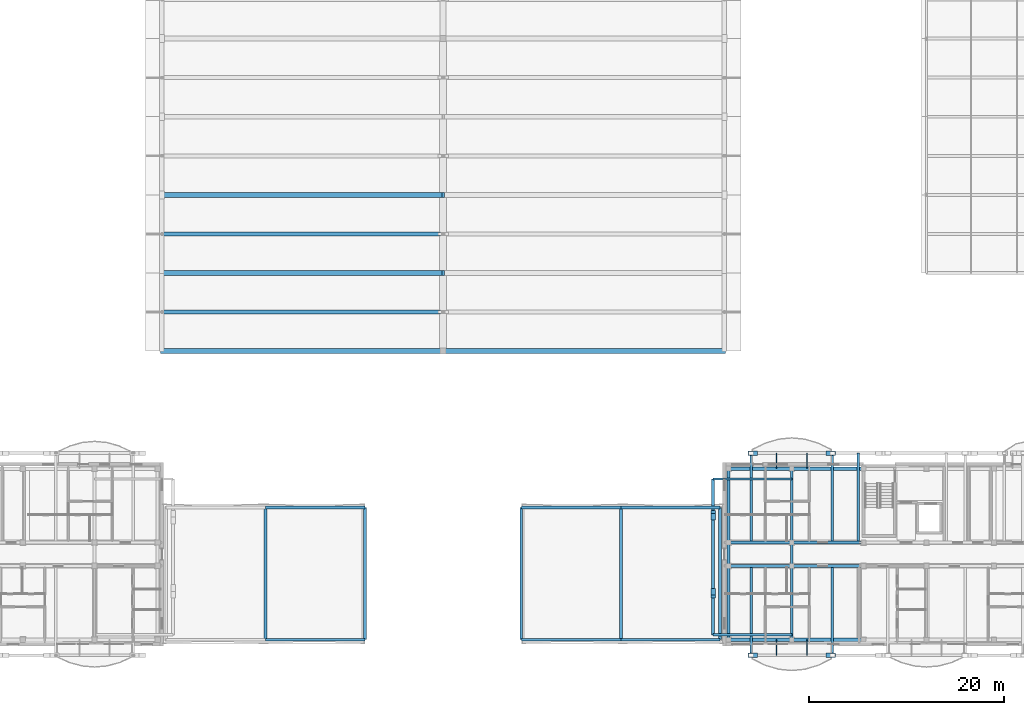
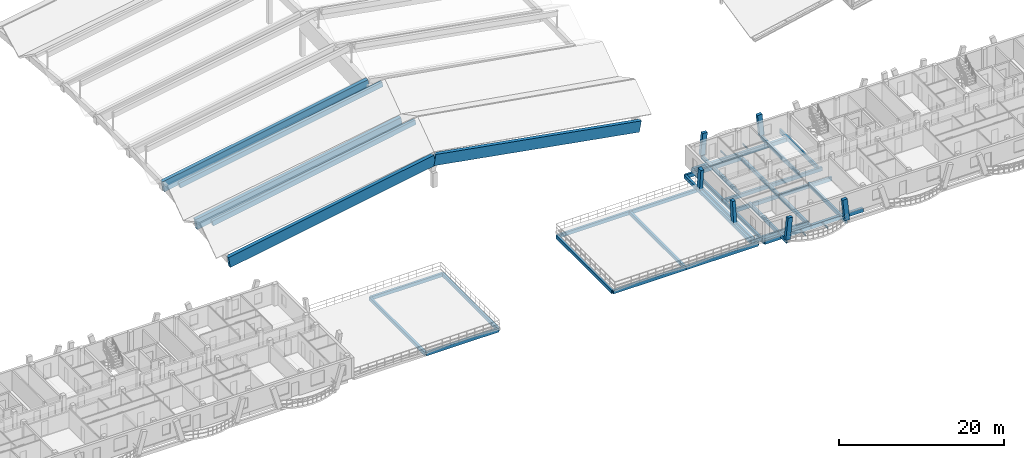
# One storey, part 20 of 109: 43 beams, 6 members.
"""IFC4 building model written with IfcOpenShell, lengths in metres."""

from ifc_helpers import new_model, si_unit, direction, frame, origin, origin_2d, place, context, subcontext, project, spatial, rectangle, i_section, extrude, material, material_profile, profile_set, type_object, element, save


model = new_model("IFC4")

# Units and contexts
model_context = context("Model", 3, precision=1e-05, world=origin(), true_north=direction((0.0, 1.0)))
body_context = subcontext(model_context, "Body", "Model", "MODEL_VIEW")
ifc_project = project(units=[si_unit("LENGTHUNIT", "METRE"), si_unit("AREAUNIT", "SQUARE_METRE"), si_unit("VOLUMEUNIT", "CUBIC_METRE"), si_unit("PLANEANGLEUNIT", "RADIAN"), si_unit("MASSUNIT", "GRAM", prefix="KILO")], contexts=[model_context])

# Site, building, storey
site_placement = place(None, origin())
site = spatial("IfcSite", under=ifc_project, at=site_placement, CompositionType="ELEMENT")
building_placement = place(site_placement, origin())
building = spatial("IfcBuilding", under=site, at=building_placement, Name="Zavelmont Quarter", CompositionType="ELEMENT")
storey_placement = place(building_placement, frame((0.0, 0.0, 8.0)))
storey = spatial("IfcBuildingStorey", under=building, at=storey_placement, Name="L02", CompositionType="ELEMENT", Elevation=8.0)

# Beams
ifc_material_1 = material(Name="Concrete C35/45", Category="concrete")
ifc_material_profile_1 = material_profile(ifc_material_1, rectangle(XDim=0.35009765625, YDim=0.60009765625, at=origin_2d()), Name="RC350X600")
ifc_profile_set_1 = profile_set([ifc_material_profile_1], Name="Concrete C35/45")
beam_type_1 = type_object("IfcBeamType", Name="BM01", PredefinedType="SPANDREL", material=ifc_profile_set_1)
beam_1_placement = place(storey_placement, frame((113.239990234375, 0.43994140625, -0.570068359375), z_axis=(1.0, 0.0, 0.0), x_axis=(0.0, 1.0, 0.0)))
element("IfcBeam", 1, at=beam_1_placement, inside=storey, type_object=beam_type_1, Name="L02 beam BM01 17/A to 18/A", PredefinedType="SPANDREL", context=body_context, shape_type="SweptSolid", body=[
    extrude(rectangle(XDim=0.35009765625, YDim=0.60009765625, at=origin_2d()), origin(), (0.0, 0.0, 1.0), 6.4599609375),
])
beam_2_placement = place(storey_placement, frame((119.699951171875, 0.43994140625, -0.570068359375), z_axis=(1.0, 0.0, 0.0), x_axis=(0.0, 1.0, 0.0)))
element("IfcBeam", 2, at=beam_2_placement, inside=storey, type_object=beam_type_1, Name="L02 beam BM01 18/A to 19/A", PredefinedType="SPANDREL", context=body_context, shape_type="SweptSolid", body=[
    extrude(rectangle(XDim=0.35009765625, YDim=0.60009765625, at=origin_2d()), origin(), (0.0, 0.0, 1.0), 7.340087890625),
])
beam_3_placement = place(storey_placement, frame((113.239990234375, 17.9599609375, -0.570068359375), z_axis=(1.0, 0.0, 0.0), x_axis=(0.0, 1.0, 0.0)))
element("IfcBeam", 3, at=beam_3_placement, inside=storey, type_object=beam_type_1, Name="L02 beam BM01 17/D to 18/D", PredefinedType="SPANDREL", context=body_context, shape_type="SweptSolid", body=[
    extrude(rectangle(XDim=0.35009765625, YDim=0.60009765625, at=origin_2d()), origin(), (0.0, 0.0, 1.0), 6.4599609375),
])
beam_4_placement = place(storey_placement, frame((119.699951171875, 17.9599609375, -0.570068359375), z_axis=(1.0, 0.0, 0.0), x_axis=(0.0, 1.0, 0.0)))
element("IfcBeam", 4, at=beam_4_placement, inside=storey, type_object=beam_type_1, Name="L02 beam BM01 18/D to 19/D", PredefinedType="SPANDREL", context=body_context, shape_type="SweptSolid", body=[
    extrude(rectangle(XDim=0.35009765625, YDim=0.60009765625, at=origin_2d()), origin(), (0.0, 0.0, 1.0), 7.340087890625),
])
ifc_material_profile_2 = material_profile(ifc_material_1, rectangle(XDim=0.300048828125, YDim=0.550048828125, at=origin_2d()), Name="RC300X550")
ifc_profile_set_2 = profile_set([ifc_material_profile_2], Name="Concrete C35/45")
beam_type_2 = type_object("IfcBeamType", Name="BM02", PredefinedType="SPANDREL", material=ifc_profile_set_2)
beam_5_placement = place(storey_placement, frame((113.239990234375, 8.0, -0.544921875), z_axis=(1.0, 0.0, 0.0), x_axis=(0.0, 1.0, 0.0)))
element("IfcBeam", 5, at=beam_5_placement, inside=storey, type_object=beam_type_2, Name="L02 beam BM02 17/B to 18/B", PredefinedType="SPANDREL", context=body_context, shape_type="SweptSolid", body=[
    extrude(rectangle(XDim=0.300048828125, YDim=0.550048828125, at=origin_2d()), origin(), (0.0, 0.0, 1.0), 6.4599609375),
])
beam_6_placement = place(storey_placement, frame((119.699951171875, 8.0, -0.544921875), z_axis=(1.0, 0.0, 0.0), x_axis=(0.0, 1.0, 0.0)))
element("IfcBeam", 6, at=beam_6_placement, inside=storey, type_object=beam_type_2, Name="L02 beam BM02 18/B to 19/B", PredefinedType="SPANDREL", context=body_context, shape_type="SweptSolid", body=[
    extrude(rectangle(XDim=0.300048828125, YDim=0.550048828125, at=origin_2d()), origin(), (0.0, 0.0, 1.0), 7.340087890625),
])
beam_7_placement = place(storey_placement, frame((113.239990234375, 10.39990234375, -0.544921875), z_axis=(1.0, 0.0, 0.0), x_axis=(0.0, 1.0, 0.0)))
element("IfcBeam", 7, at=beam_7_placement, inside=storey, type_object=beam_type_2, Name="L02 beam BM02 17/C to 18/C", PredefinedType="SPANDREL", context=body_context, shape_type="SweptSolid", body=[
    extrude(rectangle(XDim=0.300048828125, YDim=0.550048828125, at=origin_2d()), origin(), (0.0, 0.0, 1.0), 6.4599609375),
])
beam_8_placement = place(storey_placement, frame((119.699951171875, 10.39990234375, -0.544921875), z_axis=(1.0, 0.0, 0.0), x_axis=(0.0, 1.0, 0.0)))
element("IfcBeam", 8, at=beam_8_placement, inside=storey, type_object=beam_type_2, Name="L02 beam BM02 18/C to 19/C", PredefinedType="SPANDREL", context=body_context, shape_type="SweptSolid", body=[
    extrude(rectangle(XDim=0.300048828125, YDim=0.550048828125, at=origin_2d()), origin(), (0.0, 0.0, 1.0), 7.340087890625),
])
beam_9_placement = place(storey_placement, frame((113.239990234375, 0.43994140625, -0.544921875), z_axis=(0.0, 1.0, 0.0), x_axis=(-1.0, 0.0, 0.0)))
element("IfcBeam", 9, at=beam_9_placement, inside=storey, type_object=beam_type_2, Name="L02 beam BM02 17/A to 17/B", PredefinedType="SPANDREL", context=body_context, shape_type="SweptSolid", body=[
    extrude(rectangle(XDim=0.300048828125, YDim=0.550048828125, at=origin_2d()), origin(), (0.0, 0.0, 1.0), 7.56005859375),
])
beam_10_placement = place(storey_placement, frame((113.239990234375, 8.0, -0.544921875), z_axis=(0.0, 1.0, 0.0), x_axis=(-1.0, 0.0, 0.0)))
element("IfcBeam", 10, at=beam_10_placement, inside=storey, type_object=beam_type_2, Name="L02 beam BM02 17/B to 17/C", PredefinedType="SPANDREL", context=body_context, shape_type="SweptSolid", body=[
    extrude(rectangle(XDim=0.300048828125, YDim=0.550048828125, at=origin_2d()), origin(), (0.0, 0.0, 1.0), 2.39990234375),
])
for number, where, z_axis, x_axis, name in (
    (11, (113.239990234375, 10.39990234375, -0.544921875), (0.0, 1.0, 0.0), (-1.0, 0.0, 0.0), "L02 beam BM02 17/C to 17/D"),
    (12, (119.699951171875, 0.43994140625, -0.544921875), (0.0, 1.0, 0.0), (-1.0, 0.0, 0.0), "L02 beam BM02 18/A to 18/B"),
):
    element("IfcBeam", number, at=place(storey_placement, frame(where, z_axis=z_axis, x_axis=x_axis)), inside=storey, type_object=beam_type_2, Name=name, PredefinedType="SPANDREL", context=body_context, shape_type="SweptSolid", body=[
        extrude(rectangle(XDim=0.300048828125, YDim=0.550048828125, at=origin_2d()), origin(), (0.0, 0.0, 1.0), 7.56005859375),
    ])
beam_11_placement = place(storey_placement, frame((119.699951171875, 8.0, -0.544921875), z_axis=(0.0, 1.0, 0.0), x_axis=(-1.0, 0.0, 0.0)))
element("IfcBeam", 13, at=beam_11_placement, inside=storey, type_object=beam_type_2, Name="L02 beam BM02 18/B to 18/C", PredefinedType="SPANDREL", context=body_context, shape_type="SweptSolid", body=[
    extrude(rectangle(XDim=0.300048828125, YDim=0.550048828125, at=origin_2d()), origin(), (0.0, 0.0, 1.0), 2.39990234375),
])
beam_12_placement = place(storey_placement, frame((119.699951171875, 10.39990234375, -0.544921875), z_axis=(0.0, 1.0, 0.0), x_axis=(-1.0, 0.0, 0.0)))
element("IfcBeam", 14, at=beam_12_placement, inside=storey, type_object=beam_type_2, Name="L02 beam BM02 18/C to 18/D", PredefinedType="SPANDREL", context=body_context, shape_type="SweptSolid", body=[
    extrude(rectangle(XDim=0.300048828125, YDim=0.550048828125, at=origin_2d()), origin(), (0.0, 0.0, 1.0), 7.56005859375),
])
ifc_material_profile_3 = material_profile(ifc_material_1, rectangle(XDim=0.300048828125, YDim=0.5, at=origin_2d()), Name="RC300X500")
ifc_profile_set_3 = profile_set([ifc_material_profile_3], Name="Concrete C35/45")
beam_type_3 = type_object("IfcBeamType", Name="BM03", PredefinedType="BEAM", material=ifc_profile_set_3)
for number, where, z_axis, x_axis, name in (
    (15, (65.800048828125, 0.43994140625, -0.5400390625), (1.0, 0.0, 0.0), (0.0, 1.0, 0.0), "L02 beam BM03 10/A to 12/A"),
    (16, (65.800048828125, 14.0, -0.5400390625), (1.0, 0.0, 0.0), (0.0, 1.0, 0.0), "L02 beam BM03 10/C to 12/C"),
):
    element("IfcBeam", number, at=place(storey_placement, frame(where, z_axis=z_axis, x_axis=x_axis)), inside=storey, type_object=beam_type_3, Name=name, PredefinedType="BEAM", context=body_context, shape_type="SweptSolid", body=[
        extrude(rectangle(XDim=0.300048828125, YDim=0.5, at=origin_2d()), origin(), (0.0, 0.0, 1.0), 10.199951171875),
    ])
for number, where, z_axis, x_axis, name in (
    (17, (65.800048828125, 0.43994140625, -0.5400390625), (0.0, 1.0, 0.0), (-1.0, 0.0, 0.0), "L02 beam BM03 10/A to 10/C"),
    (18, (76.0, 0.43994140625, -0.5400390625), (0.0, 1.0, 0.0), (-1.0, 0.0, 0.0), "L02 beam BM03 12/A to 12/C"),
):
    element("IfcBeam", number, at=place(storey_placement, frame(where, z_axis=z_axis, x_axis=x_axis)), inside=storey, type_object=beam_type_3, Name=name, PredefinedType="BEAM", context=body_context, shape_type="SweptSolid", body=[
        extrude(rectangle(XDim=0.300048828125, YDim=0.5, at=origin_2d()), origin(), (0.0, 0.0, 1.0), 13.56005859375),
    ])
beam_13_placement = place(storey_placement, frame((92.0, 0.43994140625, -0.5400390625), z_axis=(1.0, 0.0, 0.0), x_axis=(0.0, 1.0, 0.0)))
element("IfcBeam", 19, at=beam_13_placement, inside=storey, type_object=beam_type_3, Name="L02 beam BM03 14/A to 16/A", PredefinedType="BEAM", context=body_context, shape_type="SweptSolid", body=[
    extrude(rectangle(XDim=0.300048828125, YDim=0.5, at=origin_2d()), origin(), (0.0, 0.0, 1.0), 10.199951171875),
])
beam_14_placement = place(storey_placement, frame((102.199951171875, 0.43994140625, -0.5400390625), z_axis=(1.0, 0.0, 0.0), x_axis=(0.0, 1.0, 0.0)))
element("IfcBeam", 20, at=beam_14_placement, inside=storey, type_object=beam_type_3, Name="L02 beam BM03 16/A to 17/A", PredefinedType="BEAM", context=body_context, shape_type="SweptSolid", body=[
    extrude(rectangle(XDim=0.300048828125, YDim=0.5, at=origin_2d()), origin(), (0.0, 0.0, 1.0), 10.16015625),
])
beam_15_placement = place(storey_placement, frame((92.0, 14.0, -0.5400390625), z_axis=(1.0, 0.0, 0.0), x_axis=(0.0, 1.0, 0.0)))
element("IfcBeam", 21, at=beam_15_placement, inside=storey, type_object=beam_type_3, Name="L02 beam BM03 14/C to 16/C", PredefinedType="BEAM", context=body_context, shape_type="SweptSolid", body=[
    extrude(rectangle(XDim=0.300048828125, YDim=0.5, at=origin_2d()), origin(), (0.0, 0.0, 1.0), 10.199951171875),
])
beam_16_placement = place(storey_placement, frame((102.199951171875, 14.0, -0.5400390625), z_axis=(1.0, 0.0, 0.0), x_axis=(0.0, 1.0, 0.0)))
element("IfcBeam", 22, at=beam_16_placement, inside=storey, type_object=beam_type_3, Name="L02 beam BM03 16/C to 17/C", PredefinedType="BEAM", context=body_context, shape_type="SweptSolid", body=[
    extrude(rectangle(XDim=0.300048828125, YDim=0.5, at=origin_2d()), origin(), (0.0, 0.0, 1.0), 10.16015625),
])
for number, where, z_axis, x_axis, name in (
    (23, (92.0, 0.43994140625, -0.5400390625), (0.0, 1.0, 0.0), (-1.0, 0.0, 0.0), "L02 beam BM03 14/A to 14/C"),
    (24, (102.199951171875, 0.43994140625, -0.5400390625), (0.0, 1.0, 0.0), (-1.0, 0.0, 0.0), "L02 beam BM03 16/A to 16/C"),
    (25, (112.360107421875, 0.43994140625, -0.5400390625), (0.0, 1.0, 0.0), (-1.0, 0.0, 0.0), "L02 beam BM03 17/A to 17/C"),
):
    element("IfcBeam", number, at=place(storey_placement, frame(where, z_axis=z_axis, x_axis=x_axis)), inside=storey, type_object=beam_type_3, Name=name, PredefinedType="BEAM", context=body_context, shape_type="SweptSolid", body=[
        extrude(rectangle(XDim=0.300048828125, YDim=0.5, at=origin_2d()), origin(), (0.0, 0.0, 1.0), 13.56005859375),
    ])
beam_17_placement = place(storey_placement, frame((111.64990234375, 0.949951171875, -0.25), z_axis=(0.0, 1.0, 0.0), x_axis=(-1.0, 0.0, 0.0)))
element("IfcBeam", 26, at=beam_17_placement, inside=storey, type_object=beam_type_3, Name="L02 beam BM03 17/A to 17/D", PredefinedType="BEAM", context=body_context, shape_type="SweptSolid", body=[
    extrude(rectangle(XDim=0.300048828125, YDim=0.5, at=origin_2d()), origin(), (0.0, 0.0, 1.0), 15.949951171875),
])
ifc_material_2 = material(Name="Concrete C40/50", Category="concrete")
ifc_material_profile_4 = material_profile(ifc_material_2, rectangle(XDim=0.39990234375, YDim=0.75, at=origin_2d()), Name="RC400X750")
ifc_profile_set_4 = profile_set([ifc_material_profile_4], Name="Concrete C40/50")
beam_type_4 = type_object("IfcBeamType", Name="BM05", PredefinedType="BEAM", material=ifc_profile_set_4)
for number, where, z_axis, x_axis, name in (
    (27, (55.199951171875, 34.0, 2.205078125), (0.984299788364, 0.0, 0.176504749585), (0.0, 1.0, 0.0), "L02 beam BM05 9/F to 13/F"),
    (28, (55.199951171875, 42.0, 2.955078125), (0.984299788364, 0.0, 0.176504749585), (0.0, 1.0, 0.0), "L02 beam BM05 9/G to 13/G"),
):
    element("IfcBeam", number, at=place(storey_placement, frame(where, z_axis=z_axis, x_axis=x_axis)), inside=storey, type_object=beam_type_4, Name=name, PredefinedType="BEAM", context=body_context, shape_type="SweptSolid", body=[
        extrude(rectangle(XDim=0.39990234375, YDim=0.75, at=origin_2d()), origin(), (0.0, 0.0, 1.0), 28.8935546875),
    ])
ifc_material_profile_5 = material_profile(ifc_material_2, rectangle(XDim=0.5, YDim=1.60009765625, at=origin_2d()), Name="RC500X1600")
ifc_profile_set_5 = profile_set([ifc_material_profile_5], Name="Concrete C40/50")
beam_type_5 = type_object("IfcBeamType", Name="BM08", PredefinedType="BEAM", material=ifc_profile_set_5)
for number, where, z_axis, x_axis, name in (
    (29, (55.199951171875, 30.0, -1.094970703125), (0.984681036413, 0.0, 0.174365296229), (0.0, 1.0, 0.0), "L02 beam BM08 9/F to 13/F"),
    (30, (84.0, 30.0, 4.0048828125), (0.984681036413, 0.0, -0.174365296229), (0.0, 1.0, 0.0), "L02 beam BM08 13/F to 17/F"),
    (31, (55.199951171875, 38.0, -0.344970703125), (0.984681036413, 0.0, 0.174365296229), (0.0, 1.0, 0.0), "L02 beam BM08 9/G to 13/G"),
    (32, (55.199951171875, 46.0, 0.405029296875), (0.984681036413, 0.0, 0.174365296229), (0.0, 1.0, 0.0), "L02 beam BM08 9/H to 13/H"),
):
    element("IfcBeam", number, at=place(storey_placement, frame(where, z_axis=z_axis, x_axis=x_axis)), inside=storey, type_object=beam_type_5, Name=name, PredefinedType="BEAM", context=body_context, shape_type="SweptSolid", body=[
        extrude(rectangle(XDim=0.5, YDim=1.60009765625, at=origin_2d()), origin(), (0.0, 0.0, 1.0), 29.248046875),
    ])
ifc_material_3 = material(Name="Steel S355", Category="steel")
ifc_material_profile_6 = material_profile(ifc_material_3, i_section(OverallWidth=0.110107421875, OverallDepth=0.219970703125, WebThickness=0.005859375, FlangeThickness=0.00927734375, at=origin_2d()), Name="IPE 220")
ifc_profile_set_6 = profile_set([ifc_material_profile_6], Name="Steel S355")
beam_type_6 = type_object("IfcBeamType", Name="BM15", PredefinedType="JOIST", material=ifc_profile_set_6)
for number, where, z_axis, x_axis, name in (
    (33, (118.14990234375, 0.43994140625, -0.382080078125), (0.0, -1.0, 0.0), (1.0, 0.0, 0.0), "L02 beam BM15 18/A to 18/A"),
    (34, (121.25, 0.43994140625, -0.382080078125), (0.0, -1.0, 0.0), (1.0, 0.0, 0.0), "L02 beam BM15 18/A to 18/A"),
):
    element("IfcBeam", number, at=place(storey_placement, frame(where, z_axis=z_axis, x_axis=x_axis)), inside=storey, type_object=beam_type_6, Name=name, PredefinedType="JOIST", context=body_context, shape_type="SweptSolid", body=[
        extrude(i_section(OverallWidth=0.110107421875, OverallDepth=0.219970703125, WebThickness=0.005859375, FlangeThickness=0.00927734375, at=origin_2d()), origin(), (0.0, 0.0, 1.0), 1.58984375),
    ])
for number, where, z_axis, x_axis, name in (
    (35, (118.14990234375, 17.9599609375, -0.382080078125), (0.0, 1.0, 0.0), (-1.0, 0.0, 0.0), "L02 beam BM15 18/D to 18/D"),
    (36, (121.25, 17.9599609375, -0.382080078125), (0.0, 1.0, 0.0), (-1.0, 0.0, 0.0), "L02 beam BM15 18/D to 18/D"),
):
    element("IfcBeam", number, at=place(storey_placement, frame(where, z_axis=z_axis, x_axis=x_axis)), inside=storey, type_object=beam_type_6, Name=name, PredefinedType="JOIST", context=body_context, shape_type="SweptSolid", body=[
        extrude(i_section(OverallWidth=0.110107421875, OverallDepth=0.219970703125, WebThickness=0.005859375, FlangeThickness=0.00927734375, at=origin_2d()), origin(), (0.0, 0.0, 1.0), 1.590087890625),
    ])
ifc_material_profile_7 = material_profile(ifc_material_2, rectangle(XDim=0.25, YDim=0.60009765625, at=origin_2d()), Name="RC250X600")
ifc_profile_set_7 = profile_set([ifc_material_profile_7], Name="Concrete C40/50")
beam_type_7 = type_object("IfcBeamType", Name="BM18", PredefinedType="BEAM", material=ifc_profile_set_7)
for number, where, z_axis, x_axis, name in (
    (37, (115.5380859375, 8.0, -0.300048828125), (0.0, -1.0, 0.0), (1.0, 0.0, 0.0), "L02 beam BM18 17/B to 17/A"),
    (38, (123.862060546875, 8.0, -0.300048828125), (0.0, -1.0, 0.0), (1.0, 0.0, 0.0), "L02 beam BM18 19/B to 19/A"),
):
    element("IfcBeam", number, at=place(storey_placement, frame(where, z_axis=z_axis, x_axis=x_axis)), inside=storey, type_object=beam_type_7, Name=name, PredefinedType="BEAM", context=body_context, shape_type="SweptSolid", body=[
        extrude(rectangle(XDim=0.25, YDim=0.60009765625, at=origin_2d()), origin(), (0.0, 0.0, 1.0), 9.14990234375),
    ])
for number, where, z_axis, x_axis, name in (
    (39, (115.5380859375, 10.39990234375, -0.300048828125), (0.0, 1.0, 0.0), (-1.0, 0.0, 0.0), "L02 beam BM18 17/C to 17/D"),
    (40, (123.862060546875, 10.39990234375, -0.300048828125), (0.0, 1.0, 0.0), (-1.0, 0.0, 0.0), "L02 beam BM18 19/C to 19/D"),
    (41, (126.5, 10.39990234375, -0.300048828125), (0.0, 1.0, 0.0), (-1.0, 0.0, 0.0), "L02 beam BM18 19/C to 19/D"),
):
    element("IfcBeam", number, at=place(storey_placement, frame(where, z_axis=z_axis, x_axis=x_axis)), inside=storey, type_object=beam_type_7, Name=name, PredefinedType="BEAM", context=body_context, shape_type="SweptSolid", body=[
        extrude(rectangle(XDim=0.25, YDim=0.60009765625, at=origin_2d()), origin(), (0.0, 0.0, 1.0), 9.150146484375),
    ])
for number, where, z_axis, x_axis, name in (
    (42, (119.699951171875, 0.949951171875, -0.300048828125), (-1.0, 0.0, 0.0), (0.0, -1.0, 0.0), "L02 beam BM18 18/A to 17/A"),
    (43, (119.699951171875, 16.89990234375, -0.300048828125), (-1.0, 0.0, 0.0), (0.0, -1.0, 0.0), "L02 beam BM18 18/D to 17/D"),
):
    element("IfcBeam", number, at=place(storey_placement, frame(where, z_axis=z_axis, x_axis=x_axis)), inside=storey, type_object=beam_type_7, Name=name, PredefinedType="BEAM", context=body_context, shape_type="SweptSolid", body=[
        extrude(rectangle(XDim=0.25, YDim=0.60009765625, at=origin_2d()), origin(), (0.0, 0.0, 1.0), 8.050048828125),
    ])

# Members
ifc_material_4 = material(Name="White architectural precast concrete C40/50", Category="concrete")
ifc_material_profile_8 = material_profile(ifc_material_4, rectangle(XDim=0.43994140625, YDim=0.659912109375, at=origin_2d()), Name="PCR320X480")
ifc_profile_set_8 = profile_set([ifc_material_profile_8], Name="White architectural precast concrete C40/50")
member_type = type_object("IfcMemberType", Name="VR01M", PredefinedType="CHORD", material=ifc_profile_set_8)
for number, where, z_axis, x_axis, name in (
    (44, (115.5380859375, -1.14990234375, 0.0), (0.101179468759, 0.0, 0.994868189813), (0.0, 1.0, 0.0), "L02 member VR01M 17/A to 17/A"),
    (45, (123.862060546875, -1.14990234375, 0.0), (-0.101254594424, 0.0, 0.994860546563), (0.0, -1.0, 0.0), "L02 member VR01M 19/A to 19/A"),
    (46, (115.5380859375, 19.550048828125, 0.0), (0.101179468759, 0.0, 0.994868189813), (0.0, 1.0, 0.0), "L02 member VR01M 17/D to 17/D"),
    (47, (123.862060546875, 19.550048828125, 0.0), (-0.101254594424, 0.0, 0.994860546563), (0.0, -1.0, 0.0), "L02 member VR01M 19/D to 19/D"),
    (48, (111.64990234375, 5.0380859375, 0.0), (0.0, 0.101179468759, 0.994868189813), (-1.0, 0.0, 0.0), "L02 member VR01M 17/B to 17/B"),
    (49, (111.64990234375, 13.362060546875, 0.0), (0.0, -0.101254594424, 0.994860546563), (1.0, 0.0, 0.0), "L02 member VR01M 17/C to 17/C"),
):
    element("IfcMember", number, at=place(storey_placement, frame(where, z_axis=z_axis, x_axis=x_axis)), inside=storey, type_object=member_type, Name=name, PredefinedType="CHORD", context=body_context, shape_type="SweptSolid", body=[
        extrude(rectangle(XDim=0.43994140625, YDim=0.659912109375, at=origin_2d()), origin(), (0.0, 0.0, 1.0), 3.216552734375),
    ])

save(model, "model.ifc")
